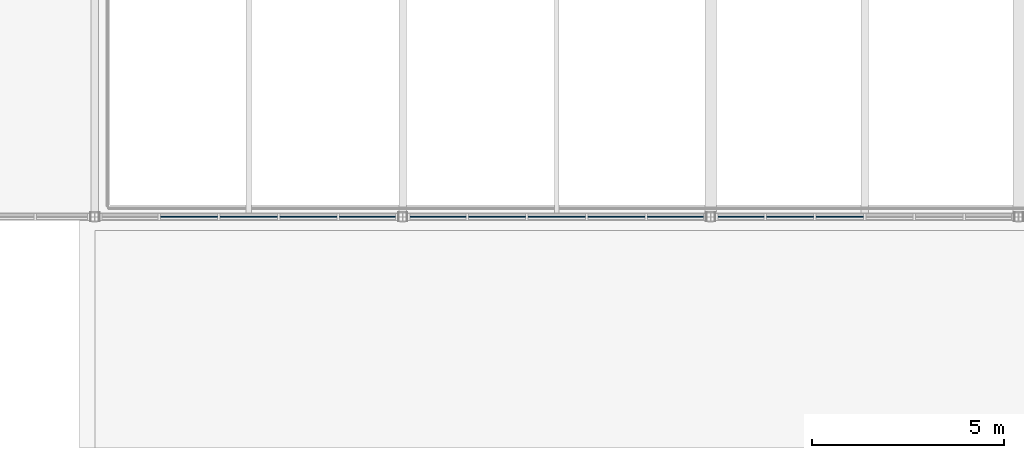
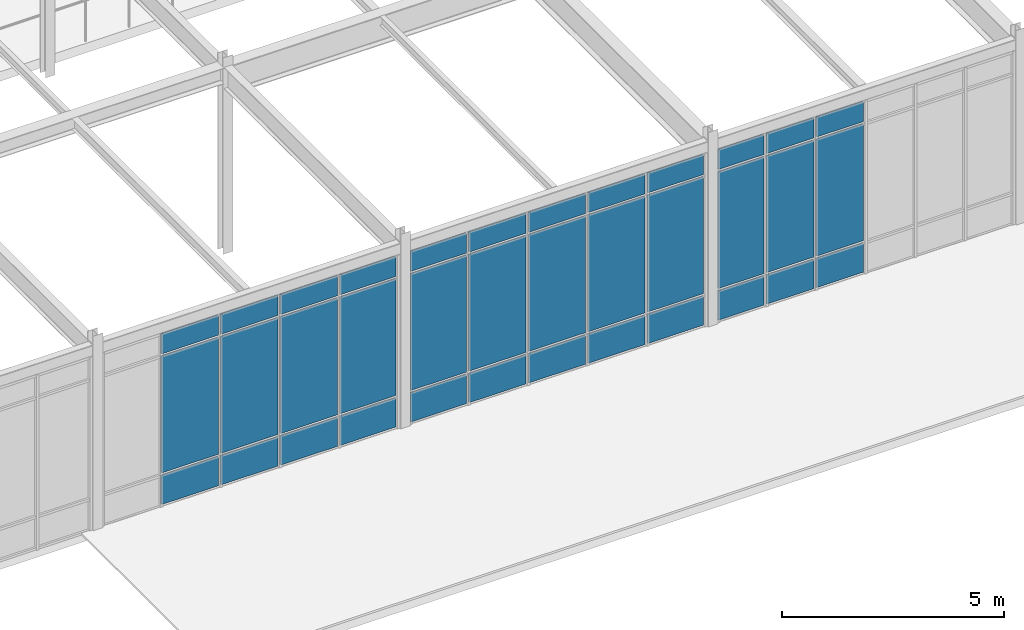
# One storey, part 84 of 184: 36 plates, 3 elements without a shape of their own.
"""IFC4 building model written with IfcOpenShell, lengths in metres."""

from ifc_helpers import new_model, si_unit, direction, frame, origin, origin_2d, place, context, subcontext, project, spatial, rectangle, extrude, material, layer, layer_set, type_object, element, aggregate, save


model = new_model("IFC4")

# Units and contexts
model_context = context("Model", 3, precision=1e-05, world=origin(), true_north=direction((0.0, 1.0)))
body_context = subcontext(model_context, "Body", "Model", "MODEL_VIEW")
ifc_project = project(units=[si_unit("LENGTHUNIT", "METRE"), si_unit("AREAUNIT", "SQUARE_METRE"), si_unit("VOLUMEUNIT", "CUBIC_METRE"), si_unit("PLANEANGLEUNIT", "RADIAN"), si_unit("MASSUNIT", "GRAM", prefix="KILO")], contexts=[model_context])

# Site, building, storey
site_placement = place(None, origin())
site = spatial("IfcSite", under=ifc_project, at=site_placement, CompositionType="ELEMENT")
building_placement = place(site_placement, origin())
building = spatial("IfcBuilding", under=site, at=building_placement, Name="Zhaolan Boulevard Law Courts", CompositionType="ELEMENT")
storey_placement = place(building_placement, frame((0.0, 0.0, 5.39990234375)))
storey = spatial("IfcBuildingStorey", under=building, at=storey_placement, Name="L01", CompositionType="ELEMENT", Elevation=5.39990234375)

# Curtain wall, plates
ifc_material_1 = material(Name="Thermally broken aluminium and low-E glazing", Category="aluminium")
curtain_wall_type_1 = type_object("IfcCurtainWallType", Name="CURTAIN WALL M9", PredefinedType="USERDEFINED", material=ifc_material_1)
curtain_wall_1_placement = place(storey_placement, origin())
curtain_wall_1 = element("IfcCurtainWall", 1, at=curtain_wall_1_placement, inside=storey, type_object=curtain_wall_type_1, Name="Curtain Wall CW-L01-033", ObjectType="CURTAIN WALL", PredefinedType="USERDEFINED")
ifc_material_2 = material(Name="Acoustic laminated low-E glazing", Category="glass")
ifc_layer = layer(ifc_material_2, 0.031982421875)
ifc_layer_set = layer_set([ifc_layer])
plate_type = type_object("IfcPlateType", Name="CWPANEL LOW E32", PredefinedType="CURTAIN_PANEL", material=ifc_layer_set)
plate_1_placement = place(storey_placement, frame((46.45068359375, 6.0, 0.06494140625), z_axis=(0.0, 0.0, 1.0), x_axis=(1.0, 0.0, 0.0)))
plate_1 = element("IfcPlate", 2, at=plate_1_placement, type_object=plate_type, Name="CW-L01-033 panel 2.1", PredefinedType="CURTAIN_PANEL", context=body_context, shape_type="SweptSolid", body=[
    extrude(rectangle(XDim=1.484130859375, YDim=0.031982421875, at=origin_2d()), origin(), (0.0, 0.0, 1.0), 0.802490234375),
])
plate_2_placement = place(storey_placement, frame((46.45068359375, 6.0, 0.9326171875), z_axis=(0.0, 0.0, 1.0), x_axis=(1.0, 0.0, 0.0)))
plate_2 = element("IfcPlate", 3, at=plate_2_placement, type_object=plate_type, Name="CW-L01-033 panel 2.2", PredefinedType="CURTAIN_PANEL", context=body_context, shape_type="SweptSolid", body=[
    extrude(rectangle(XDim=1.484130859375, YDim=0.031982421875, at=origin_2d()), origin(), (0.0, 0.0, 1.0), 3.2080078125),
])
plate_3_placement = place(storey_placement, frame((46.45068359375, 6.0, 4.20556640625), z_axis=(0.0, 0.0, 1.0), x_axis=(1.0, 0.0, 0.0)))
plate_3 = element("IfcPlate", 4, at=plate_3_placement, type_object=plate_type, Name="CW-L01-033 panel 2.3", PredefinedType="CURTAIN_PANEL", context=body_context, shape_type="SweptSolid", body=[
    extrude(rectangle(XDim=1.484130859375, YDim=0.031982421875, at=origin_2d()), origin(), (0.0, 0.0, 1.0), 0.552490234375),
])
plate_4_placement = place(storey_placement, frame((48.0, 6.0, 0.06494140625), z_axis=(0.0, 0.0, 1.0), x_axis=(1.0, 0.0, 0.0)))
plate_4 = element("IfcPlate", 5, at=plate_4_placement, type_object=plate_type, Name="CW-L01-033 panel 3.1", PredefinedType="CURTAIN_PANEL", context=body_context, shape_type="SweptSolid", body=[
    extrude(rectangle(XDim=1.484130859375, YDim=0.031982421875, at=origin_2d()), origin(), (0.0, 0.0, 1.0), 0.802490234375),
])
plate_5_placement = place(storey_placement, frame((48.0, 6.0, 0.9326171875), z_axis=(0.0, 0.0, 1.0), x_axis=(1.0, 0.0, 0.0)))
plate_5 = element("IfcPlate", 6, at=plate_5_placement, type_object=plate_type, Name="CW-L01-033 panel 3.2", PredefinedType="CURTAIN_PANEL", context=body_context, shape_type="SweptSolid", body=[
    extrude(rectangle(XDim=1.484130859375, YDim=0.031982421875, at=origin_2d()), origin(), (0.0, 0.0, 1.0), 3.2080078125),
])
plate_6_placement = place(storey_placement, frame((48.0, 6.0, 4.20556640625), z_axis=(0.0, 0.0, 1.0), x_axis=(1.0, 0.0, 0.0)))
plate_6 = element("IfcPlate", 7, at=plate_6_placement, type_object=plate_type, Name="CW-L01-033 panel 3.3", PredefinedType="CURTAIN_PANEL", context=body_context, shape_type="SweptSolid", body=[
    extrude(rectangle(XDim=1.484130859375, YDim=0.031982421875, at=origin_2d()), origin(), (0.0, 0.0, 1.0), 0.552490234375),
])
plate_7_placement = place(storey_placement, frame((49.54931640625, 6.0, 0.06494140625), z_axis=(0.0, 0.0, 1.0), x_axis=(1.0, 0.0, 0.0)))
plate_7 = element("IfcPlate", 8, at=plate_7_placement, type_object=plate_type, Name="CW-L01-033 panel 4.1", PredefinedType="CURTAIN_PANEL", context=body_context, shape_type="SweptSolid", body=[
    extrude(rectangle(XDim=1.484130859375, YDim=0.031982421875, at=origin_2d()), origin(), (0.0, 0.0, 1.0), 0.802490234375),
])
plate_8_placement = place(storey_placement, frame((49.54931640625, 6.0, 0.9326171875), z_axis=(0.0, 0.0, 1.0), x_axis=(1.0, 0.0, 0.0)))
plate_8 = element("IfcPlate", 9, at=plate_8_placement, type_object=plate_type, Name="CW-L01-033 panel 4.2", PredefinedType="CURTAIN_PANEL", context=body_context, shape_type="SweptSolid", body=[
    extrude(rectangle(XDim=1.484130859375, YDim=0.031982421875, at=origin_2d()), origin(), (0.0, 0.0, 1.0), 3.2080078125),
])
plate_9_placement = place(storey_placement, frame((49.54931640625, 6.0, 4.20556640625), z_axis=(0.0, 0.0, 1.0), x_axis=(1.0, 0.0, 0.0)))
plate_9 = element("IfcPlate", 10, at=plate_9_placement, type_object=plate_type, Name="CW-L01-033 panel 4.3", PredefinedType="CURTAIN_PANEL", context=body_context, shape_type="SweptSolid", body=[
    extrude(rectangle(XDim=1.484130859375, YDim=0.031982421875, at=origin_2d()), origin(), (0.0, 0.0, 1.0), 0.552490234375),
])
plate_10_placement = place(storey_placement, frame((51.08203125, 6.0, 0.06494140625), z_axis=(0.0, 0.0, 1.0), x_axis=(1.0, 0.0, 0.0)))
plate_10 = element("IfcPlate", 11, at=plate_10_placement, type_object=plate_type, Name="CW-L01-033 panel 5.1", PredefinedType="CURTAIN_PANEL", context=body_context, shape_type="SweptSolid", body=[
    extrude(rectangle(XDim=1.45166015625, YDim=0.031982421875, at=origin_2d()), origin(), (0.0, 0.0, 1.0), 0.802490234375),
])
plate_11_placement = place(storey_placement, frame((51.08203125, 6.0, 0.9326171875), z_axis=(0.0, 0.0, 1.0), x_axis=(1.0, 0.0, 0.0)))
plate_11 = element("IfcPlate", 12, at=plate_11_placement, type_object=plate_type, Name="CW-L01-033 panel 5.2", PredefinedType="CURTAIN_PANEL", context=body_context, shape_type="SweptSolid", body=[
    extrude(rectangle(XDim=1.45166015625, YDim=0.031982421875, at=origin_2d()), origin(), (0.0, 0.0, 1.0), 3.2080078125),
])
plate_12_placement = place(storey_placement, frame((51.08203125, 6.0, 4.20556640625), z_axis=(0.0, 0.0, 1.0), x_axis=(1.0, 0.0, 0.0)))
plate_12 = element("IfcPlate", 13, at=plate_12_placement, type_object=plate_type, Name="CW-L01-033 panel 5.3", PredefinedType="CURTAIN_PANEL", context=body_context, shape_type="SweptSolid", body=[
    extrude(rectangle(XDim=1.45166015625, YDim=0.031982421875, at=origin_2d()), origin(), (0.0, 0.0, 1.0), 0.552490234375),
])
aggregate(curtain_wall_1, [plate_1, plate_2, plate_3, plate_4, plate_5, plate_6, plate_7, plate_8, plate_9, plate_10, plate_11, plate_12])

ifc_material_3 = material(Name="Thermally broken aluminium and low-E glazing", Category="aluminium")
curtain_wall_type_2 = type_object("IfcCurtainWallType", Name="CURTAIN WALL M10", PredefinedType="USERDEFINED", material=ifc_material_3)
curtain_wall_2_placement = place(storey_placement, origin())
curtain_wall_2 = element("IfcCurtainWall", 14, at=curtain_wall_2_placement, inside=storey, type_object=curtain_wall_type_2, Name="Curtain Wall CW-L01-034", ObjectType="CURTAIN WALL", PredefinedType="USERDEFINED")
plate_13_placement = place(storey_placement, frame((52.91796875, 6.0, 0.06494140625), z_axis=(0.0, 0.0, 1.0), x_axis=(1.0, 0.0, 0.0)))
plate_13 = element("IfcPlate", 15, at=plate_13_placement, type_object=plate_type, Name="CW-L01-034 panel 1.1", PredefinedType="CURTAIN_PANEL", context=body_context, shape_type="SweptSolid", body=[
    extrude(rectangle(XDim=1.45166015625, YDim=0.031982421875, at=origin_2d()), origin(), (0.0, 0.0, 1.0), 0.802490234375),
])
plate_14_placement = place(storey_placement, frame((52.91796875, 6.0, 0.9326171875), z_axis=(0.0, 0.0, 1.0), x_axis=(1.0, 0.0, 0.0)))
plate_14 = element("IfcPlate", 16, at=plate_14_placement, type_object=plate_type, Name="CW-L01-034 panel 1.2", PredefinedType="CURTAIN_PANEL", context=body_context, shape_type="SweptSolid", body=[
    extrude(rectangle(XDim=1.45166015625, YDim=0.031982421875, at=origin_2d()), origin(), (0.0, 0.0, 1.0), 3.2080078125),
])
plate_15_placement = place(storey_placement, frame((52.91796875, 6.0, 4.20556640625), z_axis=(0.0, 0.0, 1.0), x_axis=(1.0, 0.0, 0.0)))
plate_15 = element("IfcPlate", 17, at=plate_15_placement, type_object=plate_type, Name="CW-L01-034 panel 1.3", PredefinedType="CURTAIN_PANEL", context=body_context, shape_type="SweptSolid", body=[
    extrude(rectangle(XDim=1.45166015625, YDim=0.031982421875, at=origin_2d()), origin(), (0.0, 0.0, 1.0), 0.552490234375),
])
plate_16_placement = place(storey_placement, frame((54.45068359375, 6.0, 0.06494140625), z_axis=(0.0, 0.0, 1.0), x_axis=(1.0, 0.0, 0.0)))
plate_16 = element("IfcPlate", 18, at=plate_16_placement, type_object=plate_type, Name="CW-L01-034 panel 2.1", PredefinedType="CURTAIN_PANEL", context=body_context, shape_type="SweptSolid", body=[
    extrude(rectangle(XDim=1.484130859375, YDim=0.031982421875, at=origin_2d()), origin(), (0.0, 0.0, 1.0), 0.802490234375),
])
plate_17_placement = place(storey_placement, frame((54.45068359375, 6.0, 0.9326171875), z_axis=(0.0, 0.0, 1.0), x_axis=(1.0, 0.0, 0.0)))
plate_17 = element("IfcPlate", 19, at=plate_17_placement, type_object=plate_type, Name="CW-L01-034 panel 2.2", PredefinedType="CURTAIN_PANEL", context=body_context, shape_type="SweptSolid", body=[
    extrude(rectangle(XDim=1.484130859375, YDim=0.031982421875, at=origin_2d()), origin(), (0.0, 0.0, 1.0), 3.2080078125),
])
plate_18_placement = place(storey_placement, frame((54.45068359375, 6.0, 4.20556640625), z_axis=(0.0, 0.0, 1.0), x_axis=(1.0, 0.0, 0.0)))
plate_18 = element("IfcPlate", 20, at=plate_18_placement, type_object=plate_type, Name="CW-L01-034 panel 2.3", PredefinedType="CURTAIN_PANEL", context=body_context, shape_type="SweptSolid", body=[
    extrude(rectangle(XDim=1.484130859375, YDim=0.031982421875, at=origin_2d()), origin(), (0.0, 0.0, 1.0), 0.552490234375),
])
plate_19_placement = place(storey_placement, frame((56.0, 6.0, 0.06494140625), z_axis=(0.0, 0.0, 1.0), x_axis=(1.0, 0.0, 0.0)))
plate_19 = element("IfcPlate", 21, at=plate_19_placement, type_object=plate_type, Name="CW-L01-034 panel 3.1", PredefinedType="CURTAIN_PANEL", context=body_context, shape_type="SweptSolid", body=[
    extrude(rectangle(XDim=1.484130859375, YDim=0.031982421875, at=origin_2d()), origin(), (0.0, 0.0, 1.0), 0.802490234375),
])
plate_20_placement = place(storey_placement, frame((56.0, 6.0, 0.9326171875), z_axis=(0.0, 0.0, 1.0), x_axis=(1.0, 0.0, 0.0)))
plate_20 = element("IfcPlate", 22, at=plate_20_placement, type_object=plate_type, Name="CW-L01-034 panel 3.2", PredefinedType="CURTAIN_PANEL", context=body_context, shape_type="SweptSolid", body=[
    extrude(rectangle(XDim=1.484130859375, YDim=0.031982421875, at=origin_2d()), origin(), (0.0, 0.0, 1.0), 3.2080078125),
])
plate_21_placement = place(storey_placement, frame((56.0, 6.0, 4.20556640625), z_axis=(0.0, 0.0, 1.0), x_axis=(1.0, 0.0, 0.0)))
plate_21 = element("IfcPlate", 23, at=plate_21_placement, type_object=plate_type, Name="CW-L01-034 panel 3.3", PredefinedType="CURTAIN_PANEL", context=body_context, shape_type="SweptSolid", body=[
    extrude(rectangle(XDim=1.484130859375, YDim=0.031982421875, at=origin_2d()), origin(), (0.0, 0.0, 1.0), 0.552490234375),
])
plate_22_placement = place(storey_placement, frame((57.54931640625, 6.0, 0.06494140625), z_axis=(0.0, 0.0, 1.0), x_axis=(1.0, 0.0, 0.0)))
plate_22 = element("IfcPlate", 24, at=plate_22_placement, type_object=plate_type, Name="CW-L01-034 panel 4.1", PredefinedType="CURTAIN_PANEL", context=body_context, shape_type="SweptSolid", body=[
    extrude(rectangle(XDim=1.484130859375, YDim=0.031982421875, at=origin_2d()), origin(), (0.0, 0.0, 1.0), 0.802490234375),
])
plate_23_placement = place(storey_placement, frame((57.54931640625, 6.0, 0.9326171875), z_axis=(0.0, 0.0, 1.0), x_axis=(1.0, 0.0, 0.0)))
plate_23 = element("IfcPlate", 25, at=plate_23_placement, type_object=plate_type, Name="CW-L01-034 panel 4.2", PredefinedType="CURTAIN_PANEL", context=body_context, shape_type="SweptSolid", body=[
    extrude(rectangle(XDim=1.484130859375, YDim=0.031982421875, at=origin_2d()), origin(), (0.0, 0.0, 1.0), 3.2080078125),
])
plate_24_placement = place(storey_placement, frame((57.54931640625, 6.0, 4.20556640625), z_axis=(0.0, 0.0, 1.0), x_axis=(1.0, 0.0, 0.0)))
plate_24 = element("IfcPlate", 26, at=plate_24_placement, type_object=plate_type, Name="CW-L01-034 panel 4.3", PredefinedType="CURTAIN_PANEL", context=body_context, shape_type="SweptSolid", body=[
    extrude(rectangle(XDim=1.484130859375, YDim=0.031982421875, at=origin_2d()), origin(), (0.0, 0.0, 1.0), 0.552490234375),
])
plate_25_placement = place(storey_placement, frame((59.08203125, 6.0, 0.06494140625), z_axis=(0.0, 0.0, 1.0), x_axis=(1.0, 0.0, 0.0)))
plate_25 = element("IfcPlate", 27, at=plate_25_placement, type_object=plate_type, Name="CW-L01-034 panel 5.1", PredefinedType="CURTAIN_PANEL", context=body_context, shape_type="SweptSolid", body=[
    extrude(rectangle(XDim=1.45166015625, YDim=0.031982421875, at=origin_2d()), origin(), (0.0, 0.0, 1.0), 0.802490234375),
])
plate_26_placement = place(storey_placement, frame((59.08203125, 6.0, 0.9326171875), z_axis=(0.0, 0.0, 1.0), x_axis=(1.0, 0.0, 0.0)))
plate_26 = element("IfcPlate", 28, at=plate_26_placement, type_object=plate_type, Name="CW-L01-034 panel 5.2", PredefinedType="CURTAIN_PANEL", context=body_context, shape_type="SweptSolid", body=[
    extrude(rectangle(XDim=1.45166015625, YDim=0.031982421875, at=origin_2d()), origin(), (0.0, 0.0, 1.0), 3.2080078125),
])
plate_27_placement = place(storey_placement, frame((59.08203125, 6.0, 4.20556640625), z_axis=(0.0, 0.0, 1.0), x_axis=(1.0, 0.0, 0.0)))
plate_27 = element("IfcPlate", 29, at=plate_27_placement, type_object=plate_type, Name="CW-L01-034 panel 5.3", PredefinedType="CURTAIN_PANEL", context=body_context, shape_type="SweptSolid", body=[
    extrude(rectangle(XDim=1.45166015625, YDim=0.031982421875, at=origin_2d()), origin(), (0.0, 0.0, 1.0), 0.552490234375),
])
aggregate(curtain_wall_2, [plate_13, plate_14, plate_15, plate_16, plate_17, plate_18, plate_19, plate_20, plate_21, plate_22, plate_23, plate_24, plate_25, plate_26, plate_27])

ifc_material_4 = material(Name="Thermally broken aluminium and low-E glazing", Category="aluminium")
curtain_wall_type_3 = type_object("IfcCurtainWallType", Name="CURTAIN WALL M11", PredefinedType="USERDEFINED", material=ifc_material_4)
curtain_wall_3_placement = place(storey_placement, origin())
curtain_wall_3 = element("IfcCurtainWall", 30, at=curtain_wall_3_placement, inside=storey, type_object=curtain_wall_type_3, Name="Curtain Wall CW-L01-035", ObjectType="CURTAIN WALL", PredefinedType="USERDEFINED")
plate_28_placement = place(storey_placement, frame((60.788818359375, 6.0, 0.06494140625), z_axis=(0.0, 0.0, 1.0), x_axis=(1.0, 0.0, 0.0)))
plate_28 = element("IfcPlate", 31, at=plate_28_placement, type_object=plate_type, Name="CW-L01-035 panel 1.1", PredefinedType="CURTAIN_PANEL", context=body_context, shape_type="SweptSolid", body=[
    extrude(rectangle(XDim=1.193603515625, YDim=0.031982421875, at=origin_2d()), origin(), (0.0, 0.0, 1.0), 0.802490234375),
])
plate_29_placement = place(storey_placement, frame((60.788818359375, 6.0, 0.9326171875), z_axis=(0.0, 0.0, 1.0), x_axis=(1.0, 0.0, 0.0)))
plate_29 = element("IfcPlate", 32, at=plate_29_placement, type_object=plate_type, Name="CW-L01-035 panel 1.2", PredefinedType="CURTAIN_PANEL", context=body_context, shape_type="SweptSolid", body=[
    extrude(rectangle(XDim=1.193603515625, YDim=0.031982421875, at=origin_2d()), origin(), (0.0, 0.0, 1.0), 3.2080078125),
])
plate_30_placement = place(storey_placement, frame((60.788818359375, 6.0, 4.20556640625), z_axis=(0.0, 0.0, 1.0), x_axis=(1.0, 0.0, 0.0)))
plate_30 = element("IfcPlate", 33, at=plate_30_placement, type_object=plate_type, Name="CW-L01-035 panel 1.3", PredefinedType="CURTAIN_PANEL", context=body_context, shape_type="SweptSolid", body=[
    extrude(rectangle(XDim=1.193603515625, YDim=0.031982421875, at=origin_2d()), origin(), (0.0, 0.0, 1.0), 0.552490234375),
])
plate_31_placement = place(storey_placement, frame((62.0634765625, 6.0, 0.06494140625), z_axis=(0.0, 0.0, 1.0), x_axis=(1.0, 0.0, 0.0)))
plate_31 = element("IfcPlate", 34, at=plate_31_placement, type_object=plate_type, Name="CW-L01-035 panel 2.1", PredefinedType="CURTAIN_PANEL", context=body_context, shape_type="SweptSolid", body=[
    extrude(rectangle(XDim=1.22607421875, YDim=0.031982421875, at=origin_2d()), origin(), (0.0, 0.0, 1.0), 0.802490234375),
])
plate_32_placement = place(storey_placement, frame((62.0634765625, 6.0, 0.9326171875), z_axis=(0.0, 0.0, 1.0), x_axis=(1.0, 0.0, 0.0)))
plate_32 = element("IfcPlate", 35, at=plate_32_placement, type_object=plate_type, Name="CW-L01-035 panel 2.2", PredefinedType="CURTAIN_PANEL", context=body_context, shape_type="SweptSolid", body=[
    extrude(rectangle(XDim=1.22607421875, YDim=0.031982421875, at=origin_2d()), origin(), (0.0, 0.0, 1.0), 3.2080078125),
])
plate_33_placement = place(storey_placement, frame((62.0634765625, 6.0, 4.20556640625), z_axis=(0.0, 0.0, 1.0), x_axis=(1.0, 0.0, 0.0)))
plate_33 = element("IfcPlate", 36, at=plate_33_placement, type_object=plate_type, Name="CW-L01-035 panel 2.3", PredefinedType="CURTAIN_PANEL", context=body_context, shape_type="SweptSolid", body=[
    extrude(rectangle(XDim=1.22607421875, YDim=0.031982421875, at=origin_2d()), origin(), (0.0, 0.0, 1.0), 0.552490234375),
])
plate_34_placement = place(storey_placement, frame((63.3544921875, 6.0, 0.06494140625), z_axis=(0.0, 0.0, 1.0), x_axis=(1.0, 0.0, 0.0)))
plate_34 = element("IfcPlate", 37, at=plate_34_placement, type_object=plate_type, Name="CW-L01-035 panel 3.1", PredefinedType="CURTAIN_PANEL", context=body_context, shape_type="SweptSolid", body=[
    extrude(rectangle(XDim=1.22607421875, YDim=0.031982421875, at=origin_2d()), origin(), (0.0, 0.0, 1.0), 0.802490234375),
])
plate_35_placement = place(storey_placement, frame((63.3544921875, 6.0, 0.9326171875), z_axis=(0.0, 0.0, 1.0), x_axis=(1.0, 0.0, 0.0)))
plate_35 = element("IfcPlate", 38, at=plate_35_placement, type_object=plate_type, Name="CW-L01-035 panel 3.2", PredefinedType="CURTAIN_PANEL", context=body_context, shape_type="SweptSolid", body=[
    extrude(rectangle(XDim=1.22607421875, YDim=0.031982421875, at=origin_2d()), origin(), (0.0, 0.0, 1.0), 3.2080078125),
])
plate_36_placement = place(storey_placement, frame((63.3544921875, 6.0, 4.20556640625), z_axis=(0.0, 0.0, 1.0), x_axis=(1.0, 0.0, 0.0)))
plate_36 = element("IfcPlate", 39, at=plate_36_placement, type_object=plate_type, Name="CW-L01-035 panel 3.3", PredefinedType="CURTAIN_PANEL", context=body_context, shape_type="SweptSolid", body=[
    extrude(rectangle(XDim=1.22607421875, YDim=0.031982421875, at=origin_2d()), origin(), (0.0, 0.0, 1.0), 0.552490234375),
])
aggregate(curtain_wall_3, [plate_28, plate_29, plate_30, plate_31, plate_32, plate_33, plate_34, plate_35, plate_36])

save(model, "model.ifc")
